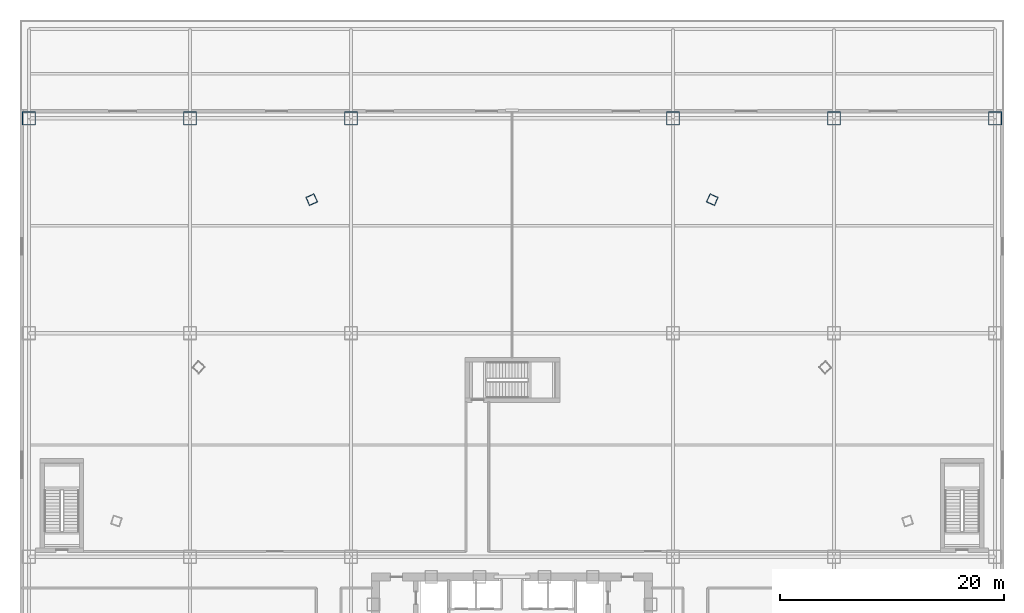
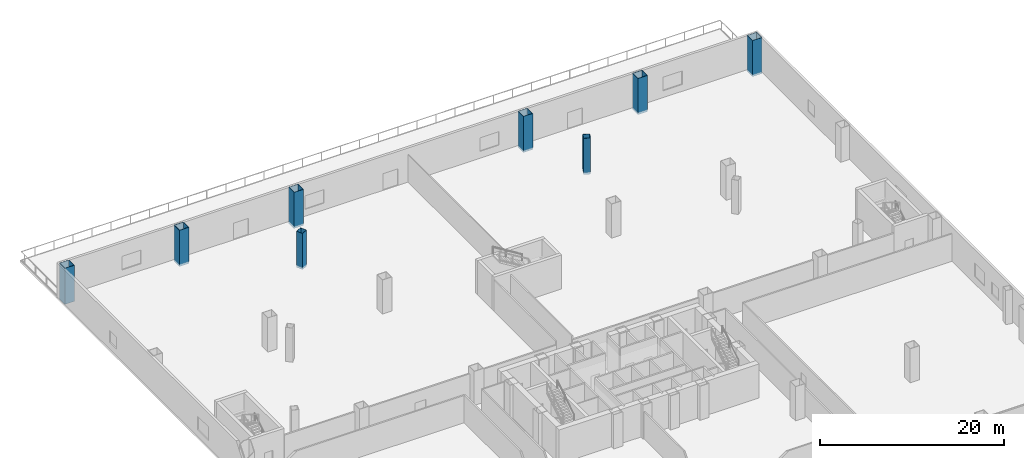
# One storey, part 2 of 27: 8 columns.
"""IFC4 building model written with IfcOpenShell, lengths in metres."""

from ifc_helpers import new_model, si_unit, direction, frame, origin, origin_2d, place, context, subcontext, project, spatial, hollow_rectangle, extrude, source, transform, mapped, material, material_profile, profile_set, type_object, element, save


model = new_model("IFC4")

# Units and contexts
model_context = context("Model", 3, precision=1e-05, world=origin(), true_north=direction((0.0, 1.0)))
body_context = subcontext(model_context, "Body", "Model", "MODEL_VIEW")
ifc_project = project(units=[si_unit("LENGTHUNIT", "METRE"), si_unit("AREAUNIT", "SQUARE_METRE"), si_unit("VOLUMEUNIT", "CUBIC_METRE"), si_unit("PLANEANGLEUNIT", "RADIAN"), si_unit("MASSUNIT", "GRAM", prefix="KILO"), si_unit("THERMODYNAMICTEMPERATUREUNIT", "KELVIN"), si_unit("POWERUNIT", "WATT")], contexts=[model_context])

# Site, building, storey
site_placement = place(None, origin())
site = spatial("IfcSite", under=ifc_project, at=site_placement, CompositionType="ELEMENT")
building_placement = place(site_placement, origin())
building = spatial("IfcBuilding", under=site, at=building_placement, Name="Yunzhuo Pagoda Commons", CompositionType="ELEMENT")
storey_placement = place(building_placement, frame((0.0, 0.0, 9.60009765625)))
storey = spatial("IfcBuildingStorey", under=building, at=storey_placement, Name="L03", CompositionType="ELEMENT", Elevation=9.60009765625)

# Columns
ifc_material = material(Name="Structural steel Q420B", Category="steel")
ifc_material_profile_1 = material_profile(ifc_material, hollow_rectangle(XDim=1.199951171875, YDim=1.199951171875, WallThickness=0.050048828125, at=origin_2d()), Name="Structural steel Q420B")
ifc_profile_set_1 = profile_set([ifc_material_profile_1], Name="Structural steel Q420B")
column_type_1 = type_object("IfcColumnType", Name="C-POD Column BOX 1200x1200x50", PredefinedType="COLUMN", material=ifc_profile_set_1)
shared_shape_1 = source(origin(), body_context, "Body", "SweptSolid", [
    extrude(hollow_rectangle(XDim=1.199951171875, YDim=1.199951171875, WallThickness=0.050048828125, at=origin_2d()), origin(), (0.0, 0.0, 1.0), 4.800048828125),
])
for number, where, z_axis, x_axis, name in (
    (1, (4.800048828125, 81.199951171875, -0.280029296875), (0.0, 0.0, 1.0), (1.0, 0.0, 0.0), "L03 podium column P1_5"),
    (2, (19.199951171875, 81.199951171875, -0.280029296875), (0.0, 0.0, 1.0), (1.0, 0.0, 0.0), "L03 podium column P2_5"),
    (3, (33.60009765625, 81.199951171875, -0.280029296875), (0.0, 0.0, 1.0), (1.0, 0.0, 0.0), "L03 podium column P3_5"),
    (4, (62.39990234375, 81.199951171875, -0.280029296875), (0.0, 0.0, 1.0), (1.0, 0.0, 0.0), "L03 podium column P4_5"),
    (5, (76.800048828125, 81.199951171875, -0.280029296875), (0.0, 0.0, 1.0), (1.0, 0.0, 0.0), "L03 podium column P5_5"),
    (6, (91.199951171875, 81.199951171875, -0.280029296875), (0.0, 0.0, 1.0), (1.0, 0.0, 0.0), "L03 podium column P6_5"),
):
    element("IfcColumn", number, at=place(storey_placement, frame(where, z_axis=z_axis, x_axis=x_axis)), inside=storey, type_object=column_type_1, Name=name, PredefinedType="COLUMN", context=body_context, shape_type="MappedRepresentation", body=[
        mapped(shared_shape_1, transform((0.0, 0.0, 0.0), scale=1.0)),
    ])
ifc_material_profile_2 = material_profile(ifc_material, hollow_rectangle(XDim=0.800048828125, YDim=0.800048828125, WallThickness=0.031982421875, at=origin_2d()), Name="Structural steel Q420B")
ifc_profile_set_2 = profile_set([ifc_material_profile_2], Name="Structural steel Q420B")
column_type_2 = type_object("IfcColumnType", Name="C-BUT Column BOX 800x800x32", PredefinedType="COLUMN", material=ifc_profile_set_2)
shared_shape_2 = source(origin(), body_context, "Body", "SweptSolid", [
    extrude(hollow_rectangle(XDim=0.800048828125, YDim=0.800048828125, WallThickness=0.031982421875, at=origin_2d()), origin(), (0.0, 0.0, 1.0), 4.800048828125),
])
for number, where, z_axis, x_axis, name in (
    (7, (65.91259765625, 73.931884765625, -0.280029296875), (0.0, 0.0, 1.0), (-0.913545457643, 0.406736643076, 0.0), "L03 podium transfer support column PR_F2C4"),
    (8, (30.087890625, 73.931884765625, -0.280029296875), (0.0, 0.0, 1.0), (-0.913545457643, -0.406736643076, 0.0), "L03 podium transfer support column PR_F3C1"),
):
    element("IfcColumn", number, at=place(storey_placement, frame(where, z_axis=z_axis, x_axis=x_axis)), inside=storey, type_object=column_type_2, Name=name, PredefinedType="COLUMN", context=body_context, shape_type="MappedRepresentation", body=[
        mapped(shared_shape_2, transform((0.0, 0.0, 0.0), scale=1.0)),
    ])

save(model, "model.ifc")
